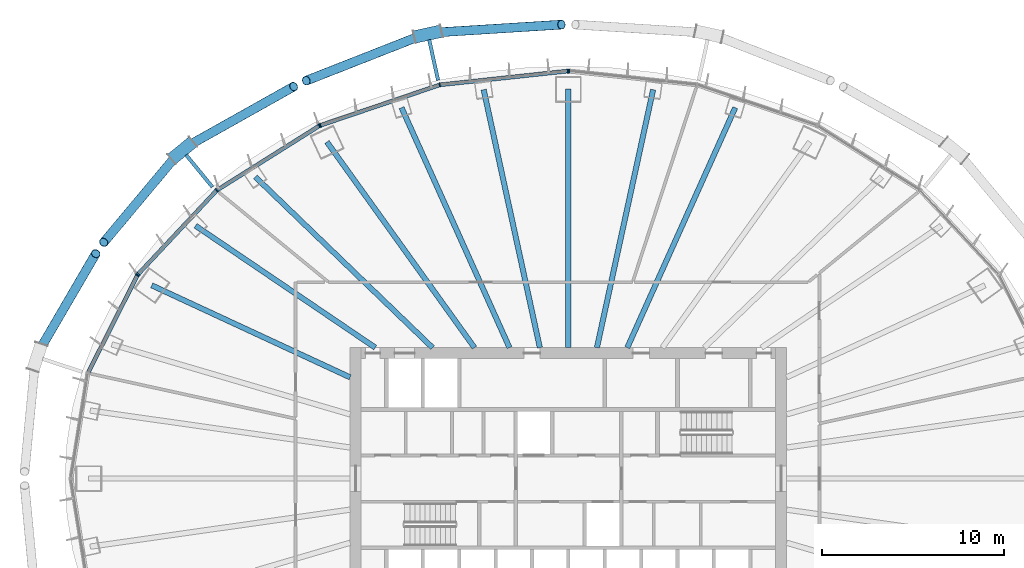
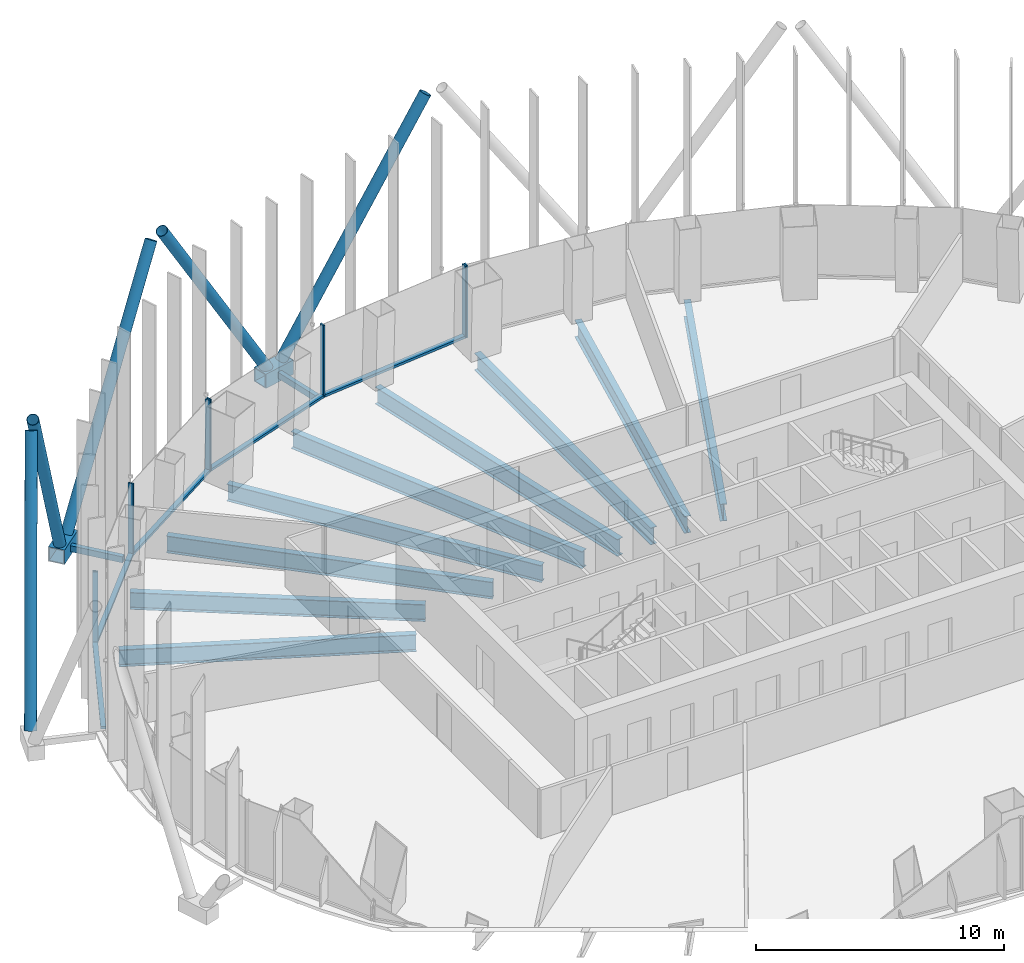
# One storey, part 4 of 19: 22 members, 9 beams, 4 elements without a shape of their own.
"""IFC4 building model written with IfcOpenShell, lengths in metres."""

from ifc_helpers import new_model, si_unit, direction, frame, origin, origin_2d, place, context, subcontext, project, spatial, rectangle, hollow_rectangle, hollow_circle, i_section, extrude, material, layer, layer_set, material_profile, profile_set, type_object, element, aggregate, save


model = new_model("IFC4")

# Units and contexts
model_context = context("Model", 3, precision=1e-05, world=origin(), true_north=direction((0.0, 1.0)))
body_context = subcontext(model_context, "Body", "Model", "MODEL_VIEW")
ifc_project = project(units=[si_unit("LENGTHUNIT", "METRE"), si_unit("AREAUNIT", "SQUARE_METRE"), si_unit("VOLUMEUNIT", "CUBIC_METRE"), si_unit("PLANEANGLEUNIT", "RADIAN"), si_unit("MASSUNIT", "GRAM", prefix="KILO")], contexts=[model_context])

# Site, building, storey
site_placement = place(None, origin())
site = spatial("IfcSite", under=ifc_project, at=site_placement, CompositionType="ELEMENT")
building_placement = place(site_placement, origin())
building = spatial("IfcBuilding", under=site, at=building_placement, Name="Siaravel Broadcast Tower", CompositionType="ELEMENT")
storey_placement = place(building_placement, frame((0.0, 0.0, 59.300048828125)))
storey = spatial("IfcBuildingStorey", under=building, at=storey_placement, Name="L13", CompositionType="ELEMENT", Elevation=59.300048828125)

# Beams
ifc_material_1 = material(Name="Steel S355", Category="steel")
ifc_material_profile_1 = material_profile(ifc_material_1, i_section(OverallWidth=0.291748046875, OverallDepth=0.8349609375, WebThickness=0.013916015625, FlangeThickness=0.018798828125, FilletRadius=0.017822265625, at=origin_2d()))
ifc_profile_set_1 = profile_set([ifc_material_profile_1], Name="Steel S355")
beam_type = type_object("IfcBeamType", Name="BM-UB 838x292x176", PredefinedType="BEAM", material=ifc_profile_set_1)
beam_1_placement = place(storey_placement, frame((9.173583984375, 20.392578125, -0.567626953125), z_axis=(-0.410243272, -0.911976128, 0.0), x_axis=(0.911976128, -0.410243272, 0.0)))
element("IfcBeam", 1, at=beam_1_placement, inside=storey, type_object=beam_type, Name="Radial beam RB08", PredefinedType="BEAM", context=body_context, shape_type="SweptSolid", body=[
    extrude(i_section(OverallWidth=0.291748046875, OverallDepth=0.8349609375, WebThickness=0.013916015625, FlangeThickness=0.018798828125, FilletRadius=0.017822265625, at=origin_2d()), origin(), (0.0, 0.0, 1.0), 14.466064453125),
])
beam_2_placement = place(storey_placement, frame((4.6591796875, 21.38330078125, -0.567626953125), z_axis=(-0.212889764, -0.977076224, 0.0), x_axis=(0.977076224, -0.212889764, 0.0)))
element("IfcBeam", 2, at=beam_2_placement, inside=storey, type_object=beam_type, Name="Radial beam RB09", PredefinedType="BEAM", context=body_context, shape_type="SweptSolid", body=[
    extrude(i_section(OverallWidth=0.291748046875, OverallDepth=0.8349609375, WebThickness=0.013916015625, FlangeThickness=0.018798828125, FilletRadius=0.017822265625, at=origin_2d()), origin(), (0.0, 0.0, 1.0), 14.51611328125),
])
beam_3_placement = place(storey_placement, frame((0.0, 21.417236328125, -0.567626953125), z_axis=(0.0, -1.0, 0.0), x_axis=(1.0, 0.0, 0.0)))
element("IfcBeam", 3, at=beam_3_placement, inside=storey, type_object=beam_type, Name="Radial beam RB10", PredefinedType="BEAM", context=body_context, shape_type="SweptSolid", body=[
    extrude(i_section(OverallWidth=0.291748046875, OverallDepth=0.8349609375, WebThickness=0.013916015625, FlangeThickness=0.018798828125, FilletRadius=0.017822265625, at=origin_2d()), origin(), (0.0, 0.0, 1.0), 14.21728515625),
])
beam_4_placement = place(storey_placement, frame((-4.6591796875, 21.38330078125, -0.567626953125), z_axis=(0.212889764, -0.977076224, 0.0), x_axis=(0.977076224, 0.212889764, 0.0)))
element("IfcBeam", 4, at=beam_4_placement, inside=storey, type_object=beam_type, Name="Radial beam RB11", PredefinedType="BEAM", context=body_context, shape_type="SweptSolid", body=[
    extrude(i_section(OverallWidth=0.291748046875, OverallDepth=0.8349609375, WebThickness=0.013916015625, FlangeThickness=0.018798828125, FilletRadius=0.017822265625, at=origin_2d()), origin(), (0.0, 0.0, 1.0), 14.51611328125),
])
beam_5_placement = place(storey_placement, frame((-9.173583984375, 20.392578125, -0.567626953125), z_axis=(0.410243272, -0.911976128, 0.0), x_axis=(0.911976128, 0.410243272, 0.0)))
element("IfcBeam", 5, at=beam_5_placement, inside=storey, type_object=beam_type, Name="Radial beam RB12", PredefinedType="BEAM", context=body_context, shape_type="SweptSolid", body=[
    extrude(i_section(OverallWidth=0.291748046875, OverallDepth=0.8349609375, WebThickness=0.013916015625, FlangeThickness=0.018798828125, FilletRadius=0.017822265625, at=origin_2d()), origin(), (0.0, 0.0, 1.0), 14.466064453125),
])
beam_6_placement = place(storey_placement, frame((-13.274658203125, 18.506103515625, -0.567626953125), z_axis=(0.582857003, -0.812574743, 0.0), x_axis=(0.812574743, 0.582857003, 0.0)))
element("IfcBeam", 6, at=beam_6_placement, inside=storey, type_object=beam_type, Name="Radial beam RB13", PredefinedType="BEAM", context=body_context, shape_type="SweptSolid", body=[
    extrude(i_section(OverallWidth=0.291748046875, OverallDepth=0.8349609375, WebThickness=0.013916015625, FlangeThickness=0.018798828125, FilletRadius=0.017822265625, at=origin_2d()), origin(), (0.0, 0.0, 1.0), 13.9140625),
])
beam_7_placement = place(storey_placement, frame((-17.217041015625, 16.590087890625, -0.567626953125), z_axis=(0.720091822, -0.693878784, 0.0), x_axis=(0.693878784, 0.720091822, 0.0)))
element("IfcBeam", 7, at=beam_7_placement, inside=storey, type_object=beam_type, Name="Radial beam RB14", PredefinedType="BEAM", context=body_context, shape_type="SweptSolid", body=[
    extrude(i_section(OverallWidth=0.291748046875, OverallDepth=0.8349609375, WebThickness=0.013916015625, FlangeThickness=0.018798828125, FilletRadius=0.017822265625, at=origin_2d()), origin(), (0.0, 0.0, 1.0), 13.53271484375),
])
beam_8_placement = place(storey_placement, frame((-20.49951171875, 13.9013671875, -0.567626953125), z_axis=(0.827642334, -0.561255884, 0.0), x_axis=(0.561255884, 0.827642334, 0.0)))
element("IfcBeam", 8, at=beam_8_placement, inside=storey, type_object=beam_type, Name="Radial beam RB15", PredefinedType="BEAM", context=body_context, shape_type="SweptSolid", body=[
    extrude(i_section(OverallWidth=0.291748046875, OverallDepth=0.8349609375, WebThickness=0.013916015625, FlangeThickness=0.018798828125, FilletRadius=0.017822265625, at=origin_2d()), origin(), (0.0, 0.0, 1.0), 11.93994140625),
])
beam_9_placement = place(storey_placement, frame((-22.90771484375, 10.625, -0.567626953125), z_axis=(0.907166781, -0.420771234, 0.0), x_axis=(0.420771234, 0.907166781, 0.0)))
element("IfcBeam", 9, at=beam_9_placement, inside=storey, type_object=beam_type, Name="Radial beam RB16", PredefinedType="BEAM", context=body_context, shape_type="SweptSolid", body=[
    extrude(i_section(OverallWidth=0.291748046875, OverallDepth=0.8349609375, WebThickness=0.013916015625, FlangeThickness=0.018798828125, FilletRadius=0.017822265625, at=origin_2d()), origin(), (0.0, 0.0, 1.0), 12.02392578125),
])

# Curtain wall, member
ifc_material_2 = material(Name="Aluminium 6063-T6", Category="aluminium")
ifc_layer = layer(ifc_material_2, 0.219970703125)
ifc_layer_set = layer_set([ifc_layer], Name="Aluminium 6063-T6")
curtain_wall_type = type_object("IfcCurtainWallType", Name="Unitised curtain wall, zone 1", PredefinedType="NOTDEFINED", material=ifc_layer_set)
curtain_wall_1_placement = place(storey_placement, origin())
curtain_wall_1 = element("IfcCurtainWall", 10, at=curtain_wall_1_placement, inside=storey, type_object=curtain_wall_type, Name="L13 Unitised curtain wall, zone 1 03", PredefinedType="NOTDEFINED")
ifc_material_profile_2 = material_profile(ifc_material_2, rectangle(XDim=0.219970703125, YDim=0.070068359375, at=origin_2d()))
ifc_profile_set_2 = profile_set([ifc_material_profile_2], Name="Aluminium 6063-T6")
member_type_1 = type_object("IfcMemberType", Name="CW-Z1 mullion", PredefinedType="MULLION", material=ifc_profile_set_2)
member_1_placement = place(storey_placement, frame((0.034912109375, 22.406005859375, 0.0), z_axis=(0.0, 0.0, 1.0), x_axis=(-0.107217176, -0.994235625, 0.0)))
member_1 = element("IfcMember", 11, at=member_1_placement, type_object=member_type_1, Name="CW-Z1 mullion 3", PredefinedType="MULLION", context=body_context, shape_type="SweptSolid", body=[
    extrude(rectangle(XDim=0.219970703125, YDim=0.070068359375, at=origin_2d()), origin(), (0.0, 0.0, 1.0), 3.550048828125),
])
aggregate(curtain_wall_1, [member_1])

# Curtain wall, members
curtain_wall_2_placement = place(storey_placement, origin())
curtain_wall_2 = element("IfcCurtainWall", 12, at=curtain_wall_2_placement, inside=storey, type_object=curtain_wall_type, Name="L13 Unitised curtain wall, zone 1 04", PredefinedType="NOTDEFINED")
member_2_placement = place(storey_placement, frame((-0.034912109375, 22.406005859375, 0.0), z_axis=(0.0, 0.0, 1.0), x_axis=(0.107217176, -0.994235625, 0.0)))
member_2 = element("IfcMember", 13, at=member_2_placement, type_object=member_type_1, Name="CW-Z1 mullion 1", PredefinedType="MULLION", context=body_context, shape_type="SweptSolid", body=[
    extrude(rectangle(XDim=0.219970703125, YDim=0.070068359375, at=origin_2d()), origin(), (0.0, 0.0, 1.0), 3.550048828125),
])
member_3_placement = place(storey_placement, frame((-7.075927734375, 21.646728515625, 0.0), z_axis=(0.0, 0.0, 1.0), x_axis=(0.215557455, -0.976491159, 0.0)))
member_3 = element("IfcMember", 14, at=member_3_placement, type_object=member_type_1, Name="CW-Z1 mullion 2", PredefinedType="MULLION", context=body_context, shape_type="SweptSolid", body=[
    extrude(rectangle(XDim=0.219970703125, YDim=0.070068359375, at=origin_2d()), origin(), (0.0, 0.0, 1.0), 3.550048828125),
])
member_4_placement = place(storey_placement, frame((-13.63720703125, 19.420654296875, 0.0), z_axis=(0.0, 0.0, 1.0), x_axis=(0.321299732, -0.946977551, 0.0)))
member_4 = element("IfcMember", 15, at=member_4_placement, type_object=member_type_1, Name="CW-Z1 mullion 3", PredefinedType="MULLION", context=body_context, shape_type="SweptSolid", body=[
    extrude(rectangle(XDim=0.219970703125, YDim=0.070068359375, at=origin_2d()), origin(), (0.0, 0.0, 1.0), 3.550048828125),
])

curtain_wall_3_placement = place(storey_placement, origin())
curtain_wall_3 = element("IfcCurtainWall", 16, at=curtain_wall_3_placement, inside=storey, type_object=curtain_wall_type, Name="L13 Unitised curtain wall, zone 1 05", PredefinedType="NOTDEFINED")
member_5_placement = place(storey_placement, frame((-13.699951171875, 19.390869140625, 0.0), z_axis=(0.0, 0.0, 1.0), x_axis=(0.532147932, -0.846651392, 0.0)))
member_5 = element("IfcMember", 17, at=member_5_placement, type_object=member_type_1, Name="CW-Z1 mullion 1", PredefinedType="MULLION", context=body_context, shape_type="SweptSolid", body=[
    extrude(rectangle(XDim=0.219970703125, YDim=0.070068359375, at=origin_2d()), origin(), (0.0, 0.0, 1.0), 3.550048828125),
])
member_6_placement = place(storey_placement, frame((-19.333984375, 15.849609375, 0.0), z_axis=(0.0, 0.0, 1.0), x_axis=(0.636217305, -0.77150991, 0.0)))
member_6 = element("IfcMember", 18, at=member_6_placement, type_object=member_type_1, Name="CW-Z1 mullion 2", PredefinedType="MULLION", context=body_context, shape_type="SweptSolid", body=[
    extrude(rectangle(XDim=0.219970703125, YDim=0.070068359375, at=origin_2d()), origin(), (0.0, 0.0, 1.0), 3.550048828125),
])
member_7_placement = place(storey_placement, frame((-23.657470703125, 11.234375, 0.0), z_axis=(0.0, 0.0, 1.0), x_axis=(0.729803931, -0.683656509, 0.0)))
member_7 = element("IfcMember", 19, at=member_7_placement, type_object=member_type_1, Name="CW-Z1 mullion 3", PredefinedType="MULLION", context=body_context, shape_type="SweptSolid", body=[
    extrude(rectangle(XDim=0.219970703125, YDim=0.070068359375, at=origin_2d()), origin(), (0.0, 0.0, 1.0), 3.550048828125),
])

# Curtain wall, member
curtain_wall_4_placement = place(storey_placement, origin())
curtain_wall_4 = element("IfcCurtainWall", 20, at=curtain_wall_4_placement, inside=storey, type_object=curtain_wall_type, Name="L13 Unitised curtain wall, zone 1 06", PredefinedType="NOTDEFINED")
member_8_placement = place(storey_placement, frame((-23.697265625, 11.177490234375, 0.0), z_axis=(0.0, 0.0, 1.0), x_axis=(0.892391293, -0.451262428, 0.0)))
member_8 = element("IfcMember", 21, at=member_8_placement, type_object=member_type_1, Name="CW-Z1 mullion 1", PredefinedType="MULLION", context=body_context, shape_type="SweptSolid", body=[
    extrude(rectangle(XDim=0.219970703125, YDim=0.070068359375, at=origin_2d()), origin(), (0.0, 0.0, 1.0), 3.550048828125),
])

# Member
ifc_material_profile_3 = material_profile(ifc_material_2, rectangle(XDim=0.219970703125, YDim=0.1201171875, at=origin_2d()))
ifc_profile_set_3 = profile_set([ifc_material_profile_3], Name="Aluminium 6063-T6")
member_type_2 = type_object("IfcMemberType", Name="CW-Z1 transom", PredefinedType="USERDEFINED", material=ifc_profile_set_3)
member_9_placement = place(storey_placement, frame((-0.069580078125, 22.40234375, 0.06005859375), z_axis=(-0.994236875, -0.10720558, 0.0), x_axis=(0.10720558, -0.994236875, 0.0)))
member_9 = element("IfcMember", 22, at=member_9_placement, type_object=member_type_2, Name="CW-Z1 transom 1", ObjectType="TRANSOM", PredefinedType="USERDEFINED", context=body_context, shape_type="SweptSolid", body=[
    extrude(rectangle(XDim=0.219970703125, YDim=0.1201171875, at=origin_2d()), origin(), (0.0, 0.0, 1.0), 7.011962890625),
])

member_10_placement = place(storey_placement, frame((-7.109130859375, 21.635498046875, 0.06005859375), z_axis=(-0.946978894, -0.321295775, 0.0), x_axis=(0.321295775, -0.946978894, 0.0)))
member_10 = element("IfcMember", 23, at=member_10_placement, type_object=member_type_2, Name="CW-Z1 transom 2", ObjectType="TRANSOM", PredefinedType="USERDEFINED", context=body_context, shape_type="SweptSolid", body=[
    extrude(rectangle(XDim=0.219970703125, YDim=0.1201171875, at=origin_2d()), origin(), (0.0, 0.0, 1.0), 6.8583984375),
])

aggregate(curtain_wall_2, [member_2, member_3, member_4, member_9, member_10])

member_11_placement = place(storey_placement, frame((-13.7294921875, 19.372314453125, 0.06005859375), z_axis=(-0.846643708, -0.532160155, 0.0), x_axis=(0.532160155, -0.846643708, 0.0)))
member_11 = element("IfcMember", 24, at=member_11_placement, type_object=member_type_2, Name="CW-Z1 transom 1", ObjectType="TRANSOM", PredefinedType="USERDEFINED", context=body_context, shape_type="SweptSolid", body=[
    extrude(rectangle(XDim=0.219970703125, YDim=0.1201171875, at=origin_2d()), origin(), (0.0, 0.0, 1.0), 6.584716796875),
])

member_12_placement = place(storey_placement, frame((-19.358154296875, 15.823974609375, 0.06005859375), z_axis=(-0.683638503, -0.729820798, 0.0), x_axis=(0.729820798, -0.683638503, 0.0)))
member_12 = element("IfcMember", 25, at=member_12_placement, type_object=member_type_2, Name="CW-Z1 transom 2", ObjectType="TRANSOM", PredefinedType="USERDEFINED", context=body_context, shape_type="SweptSolid", body=[
    extrude(rectangle(XDim=0.219970703125, YDim=0.1201171875, at=origin_2d()), origin(), (0.0, 0.0, 1.0), 6.25390625),
])

aggregate(curtain_wall_3, [member_5, member_6, member_7, member_11, member_12])

member_13_placement = place(storey_placement, frame((-23.712890625, 11.146240234375, 0.06005859375), z_axis=(-0.451293706, -0.892375477, 0.0), x_axis=(0.892375477, -0.451293706, 0.0)))
member_13 = element("IfcMember", 26, at=member_13_placement, type_object=member_type_2, Name="CW-Z1 transom 1", ObjectType="TRANSOM", PredefinedType="USERDEFINED", context=body_context, shape_type="SweptSolid", body=[
    extrude(rectangle(XDim=0.219970703125, YDim=0.1201171875, at=origin_2d()), origin(), (0.0, 0.0, 1.0), 5.952880859375),
])

aggregate(curtain_wall_4, [member_8, member_13])

# Members
ifc_material_3 = material(Name="Steel S460", Category="steel")
ifc_material_profile_4 = material_profile(ifc_material_3, hollow_circle(Radius=0.25390625, WallThickness=0.02001953125, at=origin_2d()))
ifc_profile_set_4 = profile_set([ifc_material_profile_4], Name="Steel S460")
member_type_3 = type_object("IfcMemberType", Name="Diagrid diagonal CHS 508x20", PredefinedType="BRACE", material=ifc_profile_set_4)
member_14_placement = place(storey_placement, frame((-7.351318359375, 24.522705078125, 0.119873046875), z_axis=(0.554288775, 0.034763147, 0.831598147), x_axis=(-0.06259369, 0.998039092, 0.0)))
element("IfcMember", 27, at=member_14_placement, inside=storey, type_object=member_type_3, Name="Diagrid diagonal R06 station 21C", PredefinedType="BRACE", context=body_context, shape_type="SweptSolid", body=[
    extrude(hollow_circle(Radius=0.25390625, WallThickness=0.02001953125, at=origin_2d()), origin(), (0.0, 0.0, 1.0), 12.578125),
])
member_15_placement = place(storey_placement, frame((-8.092529296875, 24.360107421875, 0.119873046875), z_axis=(-0.507081443, -0.199078448, 0.838591785), x_axis=(0.365442263, -0.930834009, 0.0)))
element("IfcMember", 28, at=member_15_placement, inside=storey, type_object=member_type_3, Name="Diagrid diagonal R06 station 21A", PredefinedType="BRACE", context=body_context, shape_type="SweptSolid", body=[
    extrude(hollow_circle(Radius=0.25390625, WallThickness=0.02001953125, at=origin_2d()), origin(), (0.0, 0.0, 1.0), 12.47314453125),
])
member_16_placement = place(storey_placement, frame((-20.927978515625, 18.28515625, 0.119873046875), z_axis=(0.469332409, 0.263280196, 0.842858605), x_axis=(-0.489245549, 0.872146085, 0.0)))
element("IfcMember", 29, at=member_16_placement, inside=storey, type_object=member_type_3, Name="Diagrid diagonal R06 station 27C", PredefinedType="BRACE", context=body_context, shape_type="SweptSolid", body=[
    extrude(hollow_circle(Radius=0.25390625, WallThickness=0.02001953125, at=origin_2d()), origin(), (0.0, 0.0, 1.0), 12.41015625),
])
member_17_placement = place(storey_placement, frame((-21.51513671875, 17.80419921875, 0.119873046875), z_axis=(-0.330464739, -0.394736779, 0.857307373), x_axis=(0.766769686, -0.641922308, 0.0)))
element("IfcMember", 30, at=member_17_placement, inside=storey, type_object=member_type_3, Name="Diagrid diagonal R06 station 27A", PredefinedType="BRACE", context=body_context, shape_type="SweptSolid", body=[
    extrude(hollow_circle(Radius=0.25390625, WallThickness=0.02001953125, at=origin_2d()), origin(), (0.0, 0.0, 1.0), 12.200927734375),
])
member_18_placement = place(storey_placement, frame((-29.091796875, 7.03759765625, 0.119873046875), z_axis=(0.25587912, 0.438922755, 0.861320319), x_axis=(-0.863915209, 0.503637282, 0.0)))
element("IfcMember", 31, at=member_18_placement, inside=storey, type_object=member_type_3, Name="Diagrid diagonal R06 station 33C", PredefinedType="BRACE", context=body_context, shape_type="SweptSolid", body=[
    extrude(hollow_circle(Radius=0.25390625, WallThickness=0.02001953125, at=origin_2d()), origin(), (0.0, 0.0, 1.0), 12.14404296875),
])
ifc_material_profile_5 = material_profile(ifc_material_3, hollow_rectangle(XDim=0.699951171875, YDim=0.699951171875, WallThickness=0.0400390625, at=origin_2d()))
ifc_profile_set_5 = profile_set([ifc_material_profile_5], Name="Steel S460")
member_type_4 = type_object("IfcMemberType", Name="Diagrid node BOX 700x700x40", PredefinedType="USERDEFINED", material=ifc_profile_set_5)
member_19_placement = place(storey_placement, frame((-6.986083984375, 24.60302734375, -0.199951171875), z_axis=(-0.976759236, -0.214339438, 0.0), x_axis=(0.214339438, -0.976759236, 0.0)))
element("IfcMember", 32, at=member_19_placement, inside=storey, type_object=member_type_4, Name="Diagrid node R06 station 21", ObjectType="DIAGRID NODE", PredefinedType="USERDEFINED", context=body_context, shape_type="SweptSolid", body=[
    extrude(hollow_rectangle(XDim=0.699951171875, YDim=0.699951171875, WallThickness=0.0400390625, at=origin_2d()), origin(), (0.0, 0.0, 1.0), 1.5068359375),
])
member_20_placement = place(storey_placement, frame((-20.638916015625, 18.522216796875, -0.199951171875), z_axis=(-0.773560079, -0.633722972, 0.0), x_axis=(0.633722972, -0.773560079, 0.0)))
element("IfcMember", 33, at=member_20_placement, inside=storey, type_object=member_type_4, Name="Diagrid node R06 station 27", ObjectType="DIAGRID NODE", PredefinedType="USERDEFINED", context=body_context, shape_type="SweptSolid", body=[
    extrude(hollow_rectangle(XDim=0.699951171875, YDim=0.699951171875, WallThickness=0.0400390625, at=origin_2d()), origin(), (0.0, 0.0, 1.0), 1.506591796875),
])
ifc_material_profile_6 = material_profile(ifc_material_3, hollow_rectangle(XDim=0.199951171875, YDim=0.300048828125, WallThickness=0.012451171875, at=origin_2d()))
ifc_profile_set_6 = profile_set([ifc_material_profile_6], Name="Steel S460")
member_type_5 = type_object("IfcMemberType", Name="Diagrid node arm RHS 300x200x12.5", PredefinedType="STRUT", material=ifc_profile_set_6)
for number, where, z_axis, x_axis, name in (
    (34, (-7.16455078125, 21.902099609375, -0.199951171875), (-0.214389852, 0.976748172, 0.0), (-0.976748172, -0.214389852, 0.0), "Node arm R06 station 21"),
    (35, (-19.57421875, 16.033447265625, -0.199951171875), (-0.633651746, 0.773618423, 0.0), (-0.773618423, -0.633651746, 0.0), "Node arm R06 station 27"),
):
    element("IfcMember", number, at=place(storey_placement, frame(where, z_axis=z_axis, x_axis=x_axis)), inside=storey, type_object=member_type_5, Name=name, PredefinedType="STRUT", context=body_context, shape_type="SweptSolid", body=[
        extrude(hollow_rectangle(XDim=0.199951171875, YDim=0.300048828125, WallThickness=0.012451171875, at=origin_2d()), origin(), (0.0, 0.0, 1.0), 2.27978515625),
    ])

save(model, "model.ifc")
